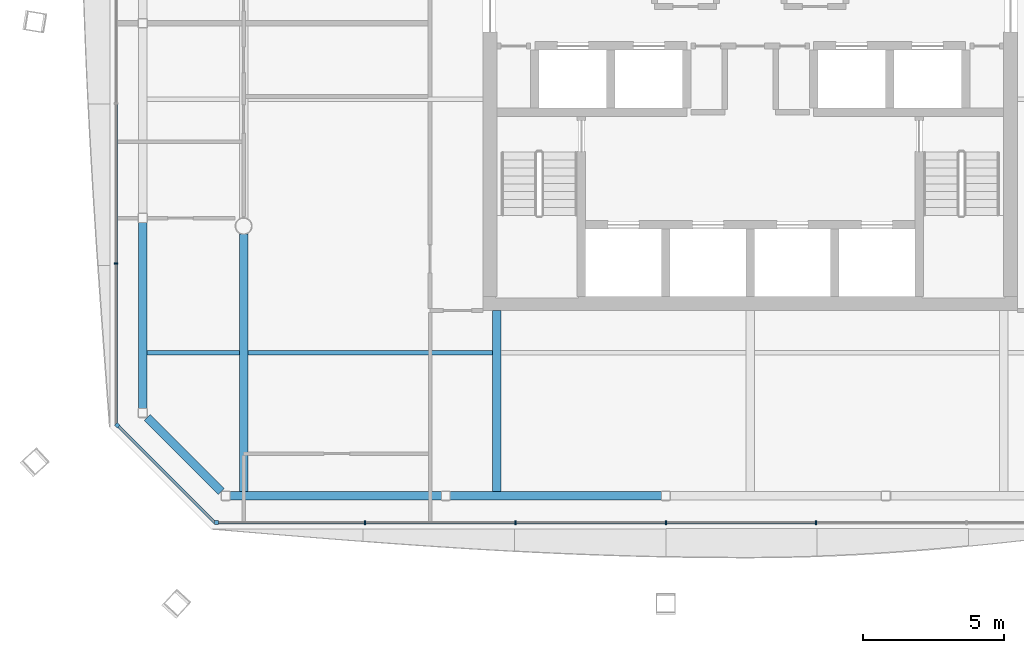
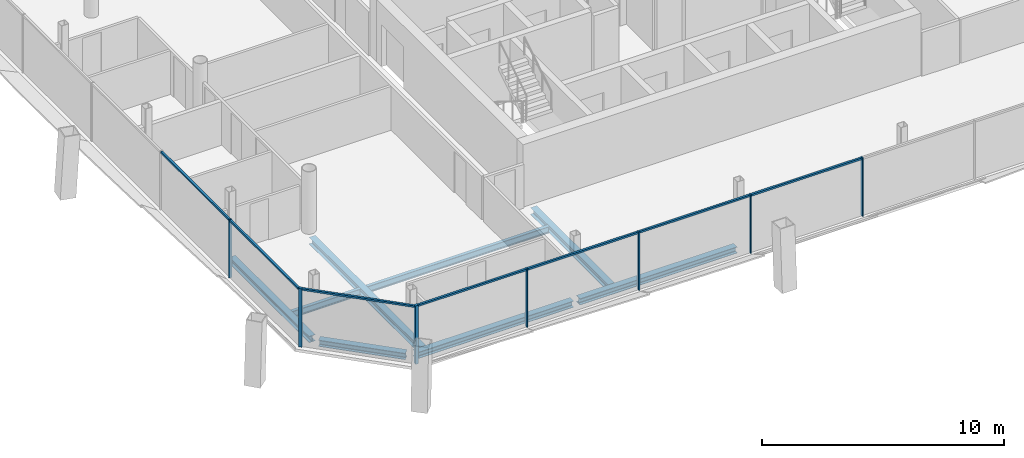
# One storey, part 4 of 19: 14 members, 8 beams, 3 elements without a shape of their own.
"""IFC4 building model written with IfcOpenShell, lengths in metres."""

from ifc_helpers import new_model, si_unit, direction, frame, origin, origin_2d, place, context, subcontext, project, spatial, rectangle, i_section, extrude, material, material_profile, profile_set, type_object, element, aggregate, save


model = new_model("IFC4")

# Units and contexts
model_context = context("Model", 3, precision=1e-05, world=origin(), true_north=direction((0.0, 1.0)))
body_context = subcontext(model_context, "Body", "Model", "MODEL_VIEW")
ifc_project = project(units=[si_unit("LENGTHUNIT", "METRE"), si_unit("AREAUNIT", "SQUARE_METRE"), si_unit("VOLUMEUNIT", "CUBIC_METRE"), si_unit("PLANEANGLEUNIT", "RADIAN"), si_unit("MASSUNIT", "GRAM", prefix="KILO")], contexts=[model_context])

# Site, building, storey
site_placement = place(None, origin())
site = spatial("IfcSite", under=ifc_project, at=site_placement, CompositionType="ELEMENT")
building_placement = place(site_placement, origin())
building = spatial("IfcBuilding", under=site, at=building_placement, Name="Tskaro Facet Tower", CompositionType="ELEMENT")
storey_placement = place(building_placement, frame((0.0, 0.0, 203.699951171875)))
storey = spatial("IfcBuildingStorey", under=building, at=storey_placement, Name="L52", CompositionType="ELEMENT", Elevation=203.699951171875)

# Curtain wall, member
ifc_material_1 = material(Name="Bronze anodised aluminium 6063-T6", Category="aluminium")
curtain_wall_type = type_object("IfcCurtainWallType", Name="Bronze residence curtain wall (FW3)", PredefinedType="NOTDEFINED", material=ifc_material_1)
curtain_wall_1_placement = place(storey_placement, origin())
curtain_wall_1 = element("IfcCurtainWall", 1, at=curtain_wall_1_placement, inside=storey, type_object=curtain_wall_type, Name="FW3 south facet L52", PredefinedType="NOTDEFINED")
ifc_material_profile_1 = material_profile(ifc_material_1, rectangle(XDim=0.139892578125, YDim=0.139892578125, at=origin_2d()), Name="Corner post 140x140")
ifc_profile_set_1 = profile_set([ifc_material_profile_1], Name="Bronze anodised aluminium 6063-T6")
member_type_1 = type_object("IfcMemberType", Name="FW3 bronze corner post 140x140", PredefinedType="MULLION", material=ifc_profile_set_1)
member_1_placement = place(storey_placement, frame((-18.9560546875, -19.532958984375, 0.0), z_axis=(0.0, 0.0, 1.0), x_axis=(1.0, 0.0, 0.0)))
member_1 = element("IfcMember", 2, at=member_1_placement, type_object=member_type_1, Name="FW3 south corner post", PredefinedType="MULLION", context=body_context, shape_type="SweptSolid", body=[
    extrude(rectangle(XDim=0.139892578125, YDim=0.139892578125, at=origin_2d()), origin(), (0.0, 0.0, 1.0), 2.949951171875),
])

curtain_wall_2_placement = place(storey_placement, origin())
curtain_wall_2 = element("IfcCurtainWall", 3, at=curtain_wall_2_placement, inside=storey, type_object=curtain_wall_type, Name="FW3 south-west facet L52", PredefinedType="NOTDEFINED")
member_2_placement = place(storey_placement, frame((-22.4833984375, -16.075439453125, 0.0), z_axis=(0.0, 0.0, 1.0), x_axis=(0.707106781187, -0.707106781187, 0.0)))
member_2 = element("IfcMember", 4, at=member_2_placement, type_object=member_type_1, Name="FW3 south-west corner post", PredefinedType="MULLION", context=body_context, shape_type="SweptSolid", body=[
    extrude(rectangle(XDim=0.139892578125, YDim=0.139892578125, at=origin_2d()), origin(), (0.0, 0.0, 1.0), 2.949951171875),
])

# Member
ifc_material_profile_2 = material_profile(ifc_material_1, rectangle(XDim=0.050048828125, YDim=0.139892578125, at=origin_2d()), Name="Mullion 50x140")
ifc_profile_set_2 = profile_set([ifc_material_profile_2], Name="Bronze anodised aluminium 6063-T6")
member_type_2 = type_object("IfcMemberType", Name="FW3 bronze mullion 50x140", PredefinedType="MULLION", material=ifc_profile_set_2)
member_3_placement = place(storey_placement, frame((-13.68408203125, -19.532958984375, 0.0), z_axis=(0.0, 0.0, 1.0), x_axis=(1.0, 0.0, 0.0)))
member_3 = element("IfcMember", 5, at=member_3_placement, type_object=member_type_2, Name="FW3 south mullion 1", PredefinedType="MULLION", context=body_context, shape_type="SweptSolid", body=[
    extrude(rectangle(XDim=0.050048828125, YDim=0.139892578125, at=origin_2d()), origin(), (0.0, 0.0, 1.0), 2.949951171875),
])

member_4_placement = place(storey_placement, frame((-8.342041015625, -19.532958984375, 0.0), z_axis=(0.0, 0.0, 1.0), x_axis=(1.0, 0.0, 0.0)))
member_4 = element("IfcMember", 6, at=member_4_placement, type_object=member_type_2, Name="FW3 south mullion 2", PredefinedType="MULLION", context=body_context, shape_type="SweptSolid", body=[
    extrude(rectangle(XDim=0.050048828125, YDim=0.139892578125, at=origin_2d()), origin(), (0.0, 0.0, 1.0), 2.949951171875),
])

member_5_placement = place(storey_placement, frame((-3.0, -19.532958984375, 0.0), z_axis=(0.0, 0.0, 1.0), x_axis=(1.0, 0.0, 0.0)))
member_5 = element("IfcMember", 7, at=member_5_placement, type_object=member_type_2, Name="FW3 south mullion 3", PredefinedType="MULLION", context=body_context, shape_type="SweptSolid", body=[
    extrude(rectangle(XDim=0.050048828125, YDim=0.139892578125, at=origin_2d()), origin(), (0.0, 0.0, 1.0), 2.949951171875),
])

member_6_placement = place(storey_placement, frame((2.342041015625, -19.532958984375, 0.0), z_axis=(0.0, 0.0, 1.0), x_axis=(1.0, 0.0, 0.0)))
member_6 = element("IfcMember", 8, at=member_6_placement, type_object=member_type_2, Name="FW3 south mullion 4", PredefinedType="MULLION", context=body_context, shape_type="SweptSolid", body=[
    extrude(rectangle(XDim=0.050048828125, YDim=0.139892578125, at=origin_2d()), origin(), (0.0, 0.0, 1.0), 2.949951171875),
])

# Curtain wall, member
curtain_wall_3_placement = place(storey_placement, origin())
curtain_wall_3 = element("IfcCurtainWall", 9, at=curtain_wall_3_placement, inside=storey, type_object=curtain_wall_type, Name="FW3 west facet L52", PredefinedType="NOTDEFINED")
member_7_placement = place(storey_placement, frame((-22.532958984375, -10.3330078125, 0.0), z_axis=(0.0, 0.0, 1.0), x_axis=(0.0, -1.0, 0.0)))
member_7 = element("IfcMember", 10, at=member_7_placement, type_object=member_type_2, Name="FW3 west mullion 4", PredefinedType="MULLION", context=body_context, shape_type="SweptSolid", body=[
    extrude(rectangle(XDim=0.050048828125, YDim=0.139892578125, at=origin_2d()), origin(), (0.0, 0.0, 1.0), 2.949951171875),
])

# Member
ifc_material_profile_3 = material_profile(ifc_material_1, rectangle(XDim=0.10009765625, YDim=0.090087890625, at=origin_2d()), Name="Transom 100x90")
ifc_profile_set_3 = profile_set([ifc_material_profile_3], Name="Bronze anodised aluminium 6063-T6")
member_type_3 = type_object("IfcMemberType", Name="FW3 bronze transom 100x90", PredefinedType="USERDEFINED", material=ifc_profile_set_3)
member_8_placement = place(storey_placement, frame((-18.885986328125, -19.532958984375, 2.905029296875), z_axis=(1.0, 0.0, 0.0), x_axis=(0.0, 1.0, 0.0)))
member_8 = element("IfcMember", 11, at=member_8_placement, type_object=member_type_3, Name="FW3 south transom 1.1", ObjectType="TRANSOM", PredefinedType="USERDEFINED", context=body_context, shape_type="SweptSolid", body=[
    extrude(rectangle(XDim=0.10009765625, YDim=0.090087890625, at=origin_2d()), origin(), (0.0, 0.0, 1.0), 5.177001953125),
])

member_9_placement = place(storey_placement, frame((-13.658935546875, -19.532958984375, 2.905029296875), z_axis=(1.0, 0.0, 0.0), x_axis=(0.0, 1.0, 0.0)))
member_9 = element("IfcMember", 12, at=member_9_placement, type_object=member_type_3, Name="FW3 south transom 2.1", ObjectType="TRANSOM", PredefinedType="USERDEFINED", context=body_context, shape_type="SweptSolid", body=[
    extrude(rectangle(XDim=0.10009765625, YDim=0.090087890625, at=origin_2d()), origin(), (0.0, 0.0, 1.0), 5.2919921875),
])

member_10_placement = place(storey_placement, frame((-8.31689453125, -19.532958984375, 2.905029296875), z_axis=(1.0, 0.0, 0.0), x_axis=(0.0, 1.0, 0.0)))
member_10 = element("IfcMember", 13, at=member_10_placement, type_object=member_type_3, Name="FW3 south transom 3.1", ObjectType="TRANSOM", PredefinedType="USERDEFINED", context=body_context, shape_type="SweptSolid", body=[
    extrude(rectangle(XDim=0.10009765625, YDim=0.090087890625, at=origin_2d()), origin(), (0.0, 0.0, 1.0), 5.2919921875),
])

member_11_placement = place(storey_placement, frame((-2.97509765625, -19.532958984375, 2.905029296875), z_axis=(1.0, 0.0, 0.0), x_axis=(0.0, 1.0, 0.0)))
member_11 = element("IfcMember", 14, at=member_11_placement, type_object=member_type_3, Name="FW3 south transom 4.1", ObjectType="TRANSOM", PredefinedType="USERDEFINED", context=body_context, shape_type="SweptSolid", body=[
    extrude(rectangle(XDim=0.10009765625, YDim=0.090087890625, at=origin_2d()), origin(), (0.0, 0.0, 1.0), 5.2919921875),
])

aggregate(curtain_wall_1, [member_1, member_3, member_4, member_5, member_6, member_8, member_9, member_10, member_11])

member_12_placement = place(storey_placement, frame((-22.532958984375, -4.6650390625, 2.905029296875), z_axis=(0.0, -1.0, 0.0), x_axis=(1.0, 0.0, 0.0)))
member_12 = element("IfcMember", 15, at=member_12_placement, type_object=member_type_3, Name="FW3 west transom 4.1", ObjectType="TRANSOM", PredefinedType="USERDEFINED", context=body_context, shape_type="SweptSolid", body=[
    extrude(rectangle(XDim=0.10009765625, YDim=0.090087890625, at=origin_2d()), origin(), (0.0, 0.0, 1.0), 5.64306640625),
])

member_13_placement = place(storey_placement, frame((-22.532958984375, -10.35791015625, 2.905029296875), z_axis=(0.0, -1.0, 0.0), x_axis=(1.0, 0.0, 0.0)))
member_13 = element("IfcMember", 16, at=member_13_placement, type_object=member_type_3, Name="FW3 west transom 5.1", ObjectType="TRANSOM", PredefinedType="USERDEFINED", context=body_context, shape_type="SweptSolid", body=[
    extrude(rectangle(XDim=0.10009765625, YDim=0.090087890625, at=origin_2d()), origin(), (0.0, 0.0, 1.0), 5.66796875),
])

aggregate(curtain_wall_3, [member_7, member_12, member_13])

member_14_placement = place(storey_placement, frame((-22.43408203125, -16.125, 2.905029296875), z_axis=(0.707132107814, -0.707081453652, 0.0), x_axis=(0.707081453652, 0.707132107814, 0.0)))
member_14 = element("IfcMember", 17, at=member_14_placement, type_object=member_type_3, Name="FW3 south-west transom 1.1", ObjectType="TRANSOM", PredefinedType="USERDEFINED", context=body_context, shape_type="SweptSolid", body=[
    extrude(rectangle(XDim=0.10009765625, YDim=0.090087890625, at=origin_2d()), origin(), (0.0, 0.0, 1.0), 4.81982421875),
])

aggregate(curtain_wall_2, [member_2, member_14])

# Beams
ifc_material_2 = material(Name="Steel S355J2", Category="steel")
ifc_material_profile_4 = material_profile(ifc_material_2, i_section(OverallWidth=0.300048828125, OverallDepth=0.320068359375, WebThickness=0.011474609375, FlangeThickness=0.0205078125, FilletRadius=0.027099609375, at=origin_2d()), Name="HE 320 B")
ifc_profile_set_4 = profile_set([ifc_material_profile_4], Name="Steel S355J2")
beam_type_1 = type_object("IfcBeamType", Name="HE 320 B ring beam", PredefinedType="BEAM", material=ifc_profile_set_4)
beam_1_placement = place(storey_placement, frame((-18.47802734375, -18.5830078125, -0.300048828125), z_axis=(1.0, 0.0, 0.0), x_axis=(0.0, 1.0, 0.0)))
element("IfcBeam", 18, at=beam_1_placement, inside=storey, type_object=beam_type_1, Name="HE 320 B EB1-4", PredefinedType="BEAM", context=body_context, shape_type="SweptSolid", body=[
    extrude(i_section(OverallWidth=0.300048828125, OverallDepth=0.320068359375, WebThickness=0.011474609375, FlangeThickness=0.0205078125, FilletRadius=0.027099609375, at=origin_2d()), origin(), (0.0, 0.0, 1.0), 7.507080078125),
])
beam_2_placement = place(storey_placement, frame((-10.660888671875, -18.5830078125, -0.300048828125), z_axis=(1.0, 0.0, 0.0), x_axis=(0.0, 1.0, 0.0)))
element("IfcBeam", 19, at=beam_2_placement, inside=storey, type_object=beam_type_1, Name="HE 320 B EB2-4", PredefinedType="BEAM", context=body_context, shape_type="SweptSolid", body=[
    extrude(i_section(OverallWidth=0.300048828125, OverallDepth=0.320068359375, WebThickness=0.011474609375, FlangeThickness=0.0205078125, FilletRadius=0.027099609375, at=origin_2d()), origin(), (0.0, 0.0, 1.0), 7.505859375),
])
beam_3_placement = place(storey_placement, frame((-21.5830078125, -8.867919921875, -0.300048828125), z_axis=(0.0, -1.0, 0.0), x_axis=(1.0, 0.0, 0.0)))
element("IfcBeam", 20, at=beam_3_placement, inside=storey, type_object=beam_type_1, Name="HE 320 B EB20-4", PredefinedType="BEAM", context=body_context, shape_type="SweptSolid", body=[
    extrude(i_section(OverallWidth=0.300048828125, OverallDepth=0.320068359375, WebThickness=0.011474609375, FlangeThickness=0.0205078125, FilletRadius=0.027099609375, at=origin_2d()), origin(), (0.0, 0.0, 1.0), 6.610107421875),
])
beam_4_placement = place(storey_placement, frame((-21.422119140625, -15.7939453125, -0.300048828125), z_axis=(0.707106781187, -0.707106781187, 0.0), x_axis=(0.707106781187, 0.707106781187, 0.0)))
element("IfcBeam", 21, at=beam_4_placement, inside=storey, type_object=beam_type_1, Name="HE 320 B EB21-4", PredefinedType="BEAM", context=body_context, shape_type="SweptSolid", body=[
    extrude(i_section(OverallWidth=0.300048828125, OverallDepth=0.320068359375, WebThickness=0.011474609375, FlangeThickness=0.0205078125, FilletRadius=0.027099609375, at=origin_2d()), origin(), (0.0, 0.0, 1.0), 3.716796875),
])
ifc_material_profile_5 = material_profile(ifc_material_2, i_section(OverallWidth=0.300048828125, OverallDepth=0.35009765625, WebThickness=0.010009765625, FlangeThickness=0.017578125, FilletRadius=0.027099609375, at=origin_2d()), Name="HE 360 A")
ifc_profile_set_5 = profile_set([ifc_material_profile_5], Name="Steel S355J2")
beam_type_2 = type_object("IfcBeamType", Name="HE 360 A girder", PredefinedType="BEAM", material=ifc_profile_set_5)
beam_5_placement = place(storey_placement, frame((-18.0, -18.43310546875, -0.31494140625), z_axis=(0.0, 1.0, 0.0), x_axis=(-1.0, 0.0, 0.0)))
element("IfcBeam", 22, at=beam_5_placement, inside=storey, type_object=beam_type_2, Name="HE 360 A GB2-1-4", PredefinedType="BEAM", context=body_context, shape_type="SweptSolid", body=[
    extrude(i_section(OverallWidth=0.300048828125, OverallDepth=0.35009765625, WebThickness=0.010009765625, FlangeThickness=0.017578125, FilletRadius=0.027099609375, at=origin_2d()), origin(), (0.0, 0.0, 1.0), 9.158203125),
])
beam_6_placement = place(storey_placement, frame((-9.0, -18.43310546875, -0.31494140625), z_axis=(0.0, 1.0, 0.0), x_axis=(-1.0, 0.0, 0.0)))
element("IfcBeam", 23, at=beam_6_placement, inside=storey, type_object=beam_type_2, Name="HE 360 A GB3-1-4", PredefinedType="BEAM", context=body_context, shape_type="SweptSolid", body=[
    extrude(i_section(OverallWidth=0.300048828125, OverallDepth=0.35009765625, WebThickness=0.010009765625, FlangeThickness=0.017578125, FilletRadius=0.027099609375, at=origin_2d()), origin(), (0.0, 0.0, 1.0), 6.43310546875),
])
ifc_material_profile_6 = material_profile(ifc_material_2, i_section(OverallWidth=0.159912109375, OverallDepth=0.330078125, WebThickness=0.007568359375, FlangeThickness=0.011474609375, FilletRadius=0.01806640625, at=origin_2d()), Name="IPE 330")
ifc_profile_set_6 = profile_set([ifc_material_profile_6], Name="Steel S355J2")
beam_type_3 = type_object("IfcBeamType", Name="IPE 330 secondary beam", PredefinedType="BEAM", material=ifc_profile_set_6)
beam_7_placement = place(storey_placement, frame((-21.43310546875, -13.5, -0.304931640625), z_axis=(1.0, 0.0, 0.0), x_axis=(0.0, 1.0, 0.0)))
element("IfcBeam", 24, at=beam_7_placement, inside=storey, type_object=beam_type_3, Name="IPE 330 SB2a-1-4", PredefinedType="BEAM", context=body_context, shape_type="SweptSolid", body=[
    extrude(i_section(OverallWidth=0.159912109375, OverallDepth=0.330078125, WebThickness=0.007568359375, FlangeThickness=0.011474609375, FilletRadius=0.01806640625, at=origin_2d()), origin(), (0.0, 0.0, 1.0), 3.283203125),
])
beam_8_placement = place(storey_placement, frame((-17.85009765625, -13.5, -0.304931640625), z_axis=(1.0, 0.0, 0.0), x_axis=(0.0, 1.0, 0.0)))
element("IfcBeam", 25, at=beam_8_placement, inside=storey, type_object=beam_type_3, Name="IPE 330 SB2a-2-4", PredefinedType="BEAM", context=body_context, shape_type="SweptSolid", body=[
    extrude(i_section(OverallWidth=0.159912109375, OverallDepth=0.330078125, WebThickness=0.007568359375, FlangeThickness=0.011474609375, FilletRadius=0.01806640625, at=origin_2d()), origin(), (0.0, 0.0, 1.0), 8.7001953125),
])

save(model, "model.ifc")
